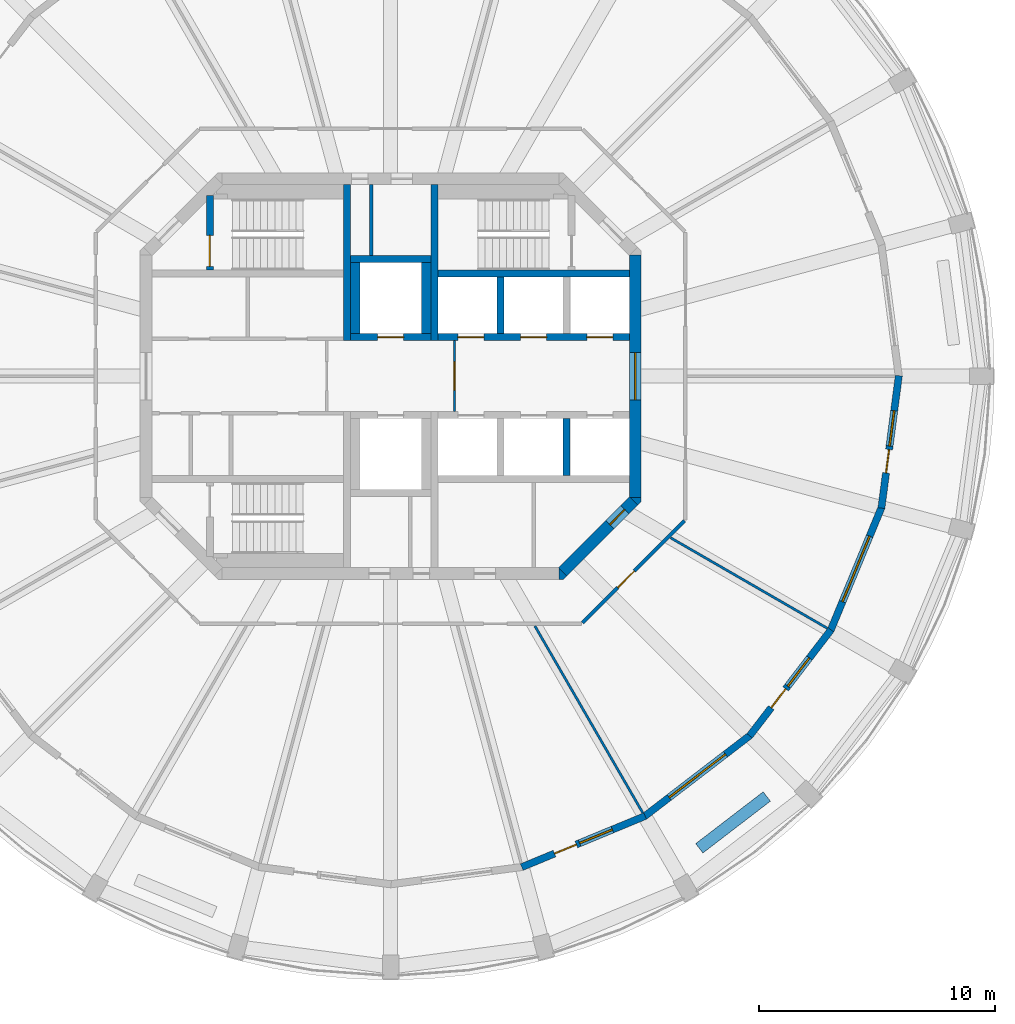
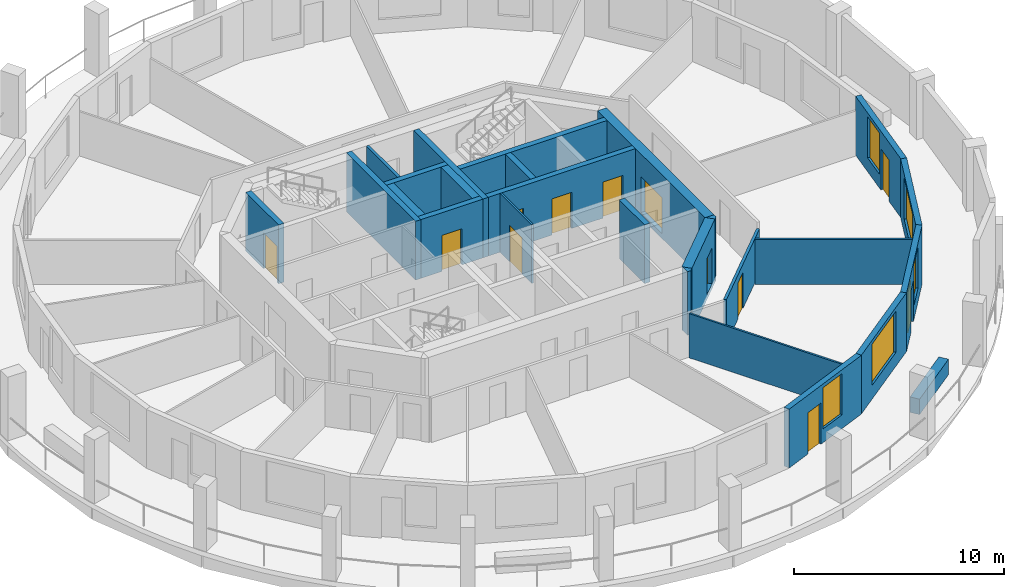
# One storey, part 4 of 8: 26 walls, 12 doors, 5 windows, 17 openings.
"""IFC4 building model written with IfcOpenShell, lengths in metres."""

import ifcopenshell
import ifcopenshell.guid

model = None  # the IFC model being written
_history = None  # IfcOwnerHistory: only IFC2X3 demands one
_inside = {}  # id of a spatial element -> (the spatial element, [elements in it])
_under = {}  # id of a project, library or spatial element -> (it, [spatial elements below it])
_declared = {}  # id of a project -> (the project, [libraries it declares])
_typed = {}  # id of a type object -> (the type object, [elements of that type])
_made_of = {}  # id of a material, layer set ... -> (it, [elements and type objects made of it])


def new_model(schema):
    """Start an empty IFC model of exactly this schema.

    Asked for "IFC4X3", IfcOpenShell would pick the latest addendum, in which some entities
    have other attributes; the version numbers below select the first issue.
    IFC2X3 requires an IfcOwnerHistory on every rooted entity: one is made here for all.
    """
    global model, _history
    if schema == "IFC4X3":
        model = ifcopenshell.file(schema_version=(4, 3, 0, 0))
    else:
        model = ifcopenshell.file(schema=schema)
    _inside.clear()
    _under.clear()
    _declared.clear()
    _typed.clear()
    _made_of.clear()
    _history = None
    if model.schema == "IFC2X3":
        org = make("IfcOrganization", Name="unknown")
        user = make(
            "IfcPersonAndOrganization",
            ThePerson=make("IfcPerson", FamilyName="unknown"),
            TheOrganization=org,
        )
        app = make(
            "IfcApplication",
            ApplicationDeveloper=org,
            Version="unknown",
            ApplicationFullName="unknown",
            ApplicationIdentifier="unknown",
        )
        _history = make(
            "IfcOwnerHistory",
            OwningUser=user,
            OwningApplication=app,
            ChangeAction="ADDED",
            CreationDate=0,
        )
    return model


def make(cls, **values):
    """One entity of the class cls with the attributes given. An attribute that is None is left unset."""
    return model.create_entity(
        cls, **{name: value for name, value in values.items() if value is not None}
    )


def rooted(cls, **values):
    """An entity with a GlobalId (a new one), such as an element, a storey or a relation."""
    return make(cls, GlobalId=ifcopenshell.guid.new(), OwnerHistory=_history, **values)


def si_unit(unit_type, name, prefix=None):
    """IfcSIUnit, for example si_unit("LENGTHUNIT", "METRE", prefix="MILLI")."""
    return make("IfcSIUnit", UnitType=unit_type, Prefix=prefix, Name=name)


def assignment(units):
    """IfcUnitAssignment: the units of a project."""
    return None if units is None else make("IfcUnitAssignment", Units=units)


def point(xyz):
    """IfcCartesianPoint."""
    return None if xyz is None else make("IfcCartesianPoint", Coordinates=xyz)


def direction(xyz):
    """IfcDirection."""
    return None if xyz is None else make("IfcDirection", DirectionRatios=xyz)


def frame(location, z_axis=None, x_axis=None):
    """IfcAxis2Placement3D, a coordinate frame: its origin and axes. An axis left out is left unset."""
    return make(
        "IfcAxis2Placement3D",
        Location=point(location),
        Axis=direction(z_axis),
        RefDirection=direction(x_axis),
    )


def frame_2d(location, x_axis=None):
    """IfcAxis2Placement2D, a coordinate frame in the plane: its origin and x axis."""
    return make(
        "IfcAxis2Placement2D", Location=point(location), RefDirection=direction(x_axis)
    )


def origin():
    """The frame at (0, 0, 0) with its axes left unset."""
    return frame((0.0, 0.0, 0.0))


def place(relative_to, where):
    """IfcLocalPlacement: puts the frame where relative to a parent placement (None: the world)."""
    return make(
        "IfcLocalPlacement", PlacementRelTo=relative_to, RelativePlacement=where
    )


def context(
    kind, dimensions, precision=None, world=None, true_north=None, identifier=None
):
    """IfcGeometricRepresentationContext, for example the 3D "Model" context."""
    return make(
        "IfcGeometricRepresentationContext",
        ContextIdentifier=identifier,
        ContextType=kind,
        CoordinateSpaceDimension=dimensions,
        Precision=precision,
        WorldCoordinateSystem=world,
        TrueNorth=true_north,
    )


def subcontext(parent, identifier, kind, view, scale=None):
    """IfcGeometricRepresentationSubContext, for example "Body" below "Model"."""
    return make(
        "IfcGeometricRepresentationSubContext",
        ContextIdentifier=identifier,
        ContextType=kind,
        ParentContext=parent,
        TargetScale=scale,
        TargetView=view,
    )


def project(units=None, contexts=None):
    """IfcProject with its units and contexts."""
    return rooted(
        "IfcProject",
        Name="project",
        RepresentationContexts=contexts,
        UnitsInContext=assignment(units),
    )


def spatial(cls, under=None, at=None, **own):
    """A site, building, storey or space (cls), placed at a placement, below another one or the project."""
    s = rooted(cls, ObjectPlacement=at, **own)
    if under is not None:
        _under.setdefault(under.id(), (under, []))[1].append(s)
    return s


def polyline(points):
    """IfcPolyline through the points."""
    return make("IfcPolyline", Points=[point(p) for p in points])


def profile(cls, at=None, kind="AREA", **sizes):
    """A parametric profile (cls). Its sizes go by their IFC names, for example OverallWidth=200.0."""
    return make(cls, ProfileType=kind, Position=at, **sizes)


def rectangle(**sizes):
    """IfcRectangleProfileDef."""
    return profile("IfcRectangleProfileDef", **sizes)


def outline(outer, holes=None, kind="AREA"):
    """IfcArbitraryClosedProfileDef: a profile drawn as a closed curve; with holes, ...WithVoids."""
    if holes is None:
        return make("IfcArbitraryClosedProfileDef", ProfileType=kind, OuterCurve=outer)
    return make(
        "IfcArbitraryProfileDefWithVoids",
        ProfileType=kind,
        OuterCurve=outer,
        InnerCurves=holes,
    )


def extrude(swept, where, along, depth):
    """IfcExtrudedAreaSolid: the profile swept, set in the frame where, extruded along a direction by depth."""
    return make(
        "IfcExtrudedAreaSolid",
        SweptArea=swept,
        Position=where,
        ExtrudedDirection=direction(along),
        Depth=depth,
    )


def shape(context_of_items, identifier, shape_type, items):
    """IfcShapeRepresentation: the items that make up one representation, for example the "Body"."""
    return make(
        "IfcShapeRepresentation",
        ContextOfItems=context_of_items,
        RepresentationIdentifier=identifier,
        RepresentationType=shape_type,
        Items=items,
    )


def material(Name=None, Category=None):
    """IfcMaterial."""
    return make("IfcMaterial", Name=Name, Category=Category)


def layer(
    of_material, thickness, ventilated=None, Name=None, Category=None, Priority=None
):
    """IfcMaterialLayer: one layer of a wall or slab, of a material (None: an air gap)."""
    return make(
        "IfcMaterialLayer",
        Material=of_material,
        LayerThickness=thickness,
        IsVentilated=ventilated,
        Name=Name,
        Category=Category,
        Priority=Priority,
    )


def layer_set(layers, Name=None):
    """IfcMaterialLayerSet."""
    return make("IfcMaterialLayerSet", MaterialLayers=layers, LayerSetName=Name)


def made_of(thing, what):
    """Note that an element or type object is made of a material, layer set ...; save() writes the relation."""
    if what is not None:
        _made_of.setdefault(what.id(), (what, []))[1].append(thing)
    return thing


def type_object(cls, material=None, **own):
    """A type object (cls), such as IfcWallType, which elements share."""
    return made_of(rooted(cls, **own), material)


def element(
    cls,
    number,
    at=None,
    inside=None,
    cuts=None,
    type_object=None,
    material=None,
    context=None,
    identifier="Body",
    shape_type=None,
    held_by="IfcProductDefinitionShape",
    body=None,
    shapes=None,
    **own,
):
    """One element of the class cls, such as IfcWall. Its Tag is "e" and its number.

    at: its placement. inside: the storey or other place that contains it. cuts: it is an
    opening in that element (IfcRelVoidsElement). A single representation is given by context,
    identifier, shape_type and body (its items); several are given by shapes. held_by: the class
    of the entity that holds the representations. save() writes the other relations.
    """
    e = rooted(cls, Tag="e%d" % number, ObjectPlacement=at, **own)
    if body is not None:
        shapes = [shape(context, identifier, shape_type, body)]
    if shapes is not None:
        e.Representation = make(held_by, Representations=shapes)
    if inside is not None:
        _inside.setdefault(inside.id(), (inside, []))[1].append(e)
    if cuts is not None:
        rooted(
            "IfcRelVoidsElement", RelatingBuildingElement=cuts, RelatedOpeningElement=e
        )
    if type_object is not None:
        _typed.setdefault(type_object.id(), (type_object, []))[1].append(e)
    return made_of(e, material)


def fill(opening, filler):
    """IfcRelFillsElement: the door or window that sits in an opening."""
    return rooted(
        "IfcRelFillsElement",
        RelatingOpeningElement=opening,
        RelatedBuildingElement=filler,
    )


def aggregate(whole, parts):
    """IfcRelAggregates: a whole, such as a stair, and the parts it consists of."""
    return rooted("IfcRelAggregates", RelatingObject=whole, RelatedObjects=parts)


def save(model, path):
    """Write the relations noted so far, then the file.

    IfcRelAggregates (storeys below a building ...), IfcRelContainedInSpatialStructure (elements
    in a storey), IfcRelDefinesByType, IfcRelAssociatesMaterial and IfcRelDeclares: one each for
    every whole, place, type object, material and project.
    """
    for whole, parts in _under.values():
        aggregate(whole, parts)
    for where, things in _inside.values():
        rooted(
            "IfcRelContainedInSpatialStructure",
            RelatedElements=things,
            RelatingStructure=where,
        )
    for kind, things in _typed.values():
        rooted("IfcRelDefinesByType", RelatedObjects=things, RelatingType=kind)
    for what, things in _made_of.values():
        rooted("IfcRelAssociatesMaterial", RelatedObjects=things, RelatingMaterial=what)
    for by, libraries in _declared.values():
        rooted("IfcRelDeclares", RelatingContext=by, RelatedDefinitions=libraries)
    model.write(path)


model = new_model("IFC4")

# Units and contexts
model_context = context("Model", 3, precision=1e-05, world=origin(), true_north=direction((0.0, 1.0)))
body_context = subcontext(model_context, "Body", "Model", "MODEL_VIEW")
ifc_project = project(units=[si_unit("LENGTHUNIT", "METRE"), si_unit("AREAUNIT", "SQUARE_METRE"), si_unit("VOLUMEUNIT", "CUBIC_METRE"), si_unit("PLANEANGLEUNIT", "RADIAN"), si_unit("MASSUNIT", "GRAM", prefix="KILO")], contexts=[model_context])

# Site, building, storey
site_placement = place(None, origin())
site = spatial("IfcSite", under=ifc_project, at=site_placement, CompositionType="ELEMENT")
building_placement = place(site_placement, origin())
building = spatial("IfcBuilding", under=site, at=building_placement, Name="Torre Triforio", CompositionType="ELEMENT")
storey_placement = place(building_placement, frame((0.0, 0.0, 287.10009765625)))
storey = spatial("IfcBuildingStorey", under=building, at=storey_placement, Name="L66", CompositionType="ELEMENT", Elevation=287.10009765625)

# Walls
ifc_material_1 = material(Name="Concrete C40", Category="concrete")
ifc_layer_1 = layer(ifc_material_1, 0.300048828125)
ifc_layer_set_1 = layer_set([ifc_layer_1], Name="Concrete C40")
wall_type_1 = type_object("IfcWallType", Name="Core wall 300 mm C40 EI 120", PredefinedType="SHEAR", material=ifc_layer_set_1)
for number, where, z_axis, x_axis, name in (
    (1, (-1.85009765625, 1.5, 0.0), (0.0, 0.0, 1.0), (0.0, 1.0, 0.0), "Core wall"),
    (2, (1.85009765625, 1.5, 0.0), (0.0, 0.0, 1.0), (0.0, 1.0, 0.0), "Core wall"),
):
    element("IfcWall", number, at=place(storey_placement, frame(where, z_axis=z_axis, x_axis=x_axis)), inside=storey, type_object=wall_type_1, Name=name, PredefinedType="SHEAR", context=body_context, shape_type="SweptSolid", body=[
        extrude(rectangle(XDim=6.60009765625, YDim=0.300048828125, at=frame_2d((3.300048828125, 0.0))), origin(), (0.0, 0.0, 1.0), 3.419921875),
    ])

# Wall, opening, door
ifc_layer_2 = layer(ifc_material_1, 0.5)
ifc_layer_set_2 = layer_set([ifc_layer_2], Name="Concrete C40")
wall_type_2 = type_object("IfcWallType", Name="Core wall 500 mm C40 EI 120", PredefinedType="SHEAR", material=ifc_layer_set_2)
wall_1_placement = place(storey_placement, frame((10.35009765625, -5.1298828125, -0.280029296875), z_axis=(0.0, 0.0, 1.0), x_axis=(0.0, 1.0, 0.0)))
wall_1 = element("IfcWall", 3, at=wall_1_placement, inside=storey, type_object=wall_type_2, Name="Core wall", PredefinedType="SHEAR", context=body_context, shape_type="SweptSolid", body=[
    extrude(rectangle(XDim=10.259765625, YDim=0.5, at=frame_2d((5.1298828125, 0.0))), origin(), (0.0, 0.0, 1.0), 3.699951171875),
])
opening_1_placement = place(wall_1_placement, frame((4.1298828125, 0.0, 0.280029296875)))
opening_1 = element("IfcOpeningElement", 4, at=opening_1_placement, cuts=wall_1, Name="Opening E-RING", PredefinedType="OPENING", context=body_context, shape_type="SweptSolid", body=[
    extrude(rectangle(XDim=2.0, YDim=2.10009765625, at=frame_2d((1.0, 1.050048828125))), frame((0.0, 0.260009765625, 0.0), z_axis=(0.0, -1.0, 0.0), x_axis=(1.0, 0.0, 0.0)), (0.0, 0.0, 1.0), 0.52001953125),
])
ifc_material_2 = material(Name="Hollow metal fire door leaf")
door_type_1 = type_object("IfcDoorType", Name="Lobby door 2000 x 2100 EI 60", OperationType="DOUBLE_DOOR_SINGLE_SWING", PredefinedType="DOOR", material=ifc_material_2)
door_1_placement = place(opening_1_placement, origin())
door_1 = element("IfcDoor", 5, at=door_1_placement, inside=storey, type_object=door_type_1, Name="Core door E-RING", OperationType="DOUBLE_DOOR_SINGLE_SWING", OverallHeight=2.10009765625, OverallWidth=2.0, PredefinedType="DOOR", context=body_context, shape_type="SweptSolid", body=[
    extrude(rectangle(XDim=2.0, YDim=2.10009765625, at=frame_2d((1.0, 1.050048828125))), frame((0.0, 0.02490234375, 0.0), z_axis=(0.0, -1.0, 0.0), x_axis=(1.0, 0.0, 0.0)), (0.0, 0.0, 1.0), 0.050048828125),
])
fill(opening_1, door_1)

wall_2_placement = place(storey_placement, frame((10.27685546875, -5.27685546875, -0.280029296875), z_axis=(0.0, 0.0, 1.0), x_axis=(-0.707106781187, -0.707106781187, 0.0)))
wall_2 = element("IfcWall", 6, at=wall_2_placement, inside=storey, type_object=wall_type_2, Name="Core wall", PredefinedType="SHEAR", context=body_context, shape_type="SweptSolid", body=[
    extrude(rectangle(XDim=4.24267578125, YDim=0.5, at=frame_2d((2.121337890625, 0.0))), origin(), (0.0, 0.0, 1.0), 3.699951171875),
])
opening_2_placement = place(wall_2_placement, frame((0.52001953125, 0.0, 0.280029296875)))
opening_2 = element("IfcOpeningElement", 7, at=opening_2_placement, cuts=wall_2, Name="Opening SE-02", PredefinedType="OPENING", context=body_context, shape_type="SweptSolid", body=[
    extrude(rectangle(XDim=0.89990234375, YDim=2.10009765625, at=frame_2d((0.449951171875, 1.050048828125))), frame((0.0, 0.260009765625, 0.0), z_axis=(0.0, -1.0, 0.0), x_axis=(1.0, 0.0, 0.0)), (0.0, 0.0, 1.0), 0.52001953125),
])
door_type_2 = type_object("IfcDoorType", Name="Room door 900 x 2100 EI 60", OperationType="NOTDEFINED", PredefinedType="DOOR", material=ifc_material_2)
door_2_placement = place(opening_2_placement, origin())
door_2 = element("IfcDoor", 8, at=door_2_placement, inside=storey, type_object=door_type_2, Name="Core door SE-02", OperationType="SINGLE_SWING_RIGHT", OverallHeight=2.10009765625, OverallWidth=0.89990234375, PredefinedType="DOOR", context=body_context, shape_type="SweptSolid", body=[
    extrude(rectangle(XDim=0.89990234375, YDim=2.10009765625, at=frame_2d((0.449951171875, 1.050048828125))), frame((0.0, 0.02490234375, 0.0), z_axis=(0.0, -1.0, 0.0), x_axis=(1.0, 0.0, 0.0)), (0.0, 0.0, 1.0), 0.050048828125),
])
fill(opening_2, door_2)

# Walls
wall_3_placement = place(storey_placement, frame((0.0, 0.0, -0.280029296875)))
element("IfcWall", 9, at=wall_3_placement, inside=storey, type_object=wall_type_2, Name="Core wall", PredefinedType="SHEAR", context=body_context, shape_type="SweptSolid", body=[
    extrude(outline(polyline([(7.30712890625, -8.60009765625), (7.1298828125, -8.60009765625), (7.1298828125, -8.1298828125), (7.45361328125, -8.45361328125), (7.30712890625, -8.60009765625)])), origin(), (0.0, 0.0, 1.0), 3.699951171875),
])
wall_4_placement = place(storey_placement, frame((0.0, 0.0, -0.280029296875)))
element("IfcWall", 10, at=wall_4_placement, inside=storey, type_object=wall_type_2, Name="Core wall", PredefinedType="SHEAR", context=body_context, shape_type="SweptSolid", body=[
    extrude(outline(polyline([(10.60009765625, -5.30712890625), (10.45361328125, -5.45361328125), (10.1298828125, -5.1298828125), (10.60009765625, -5.1298828125), (10.60009765625, -5.30712890625)])), origin(), (0.0, 0.0, 1.0), 3.699951171875),
])

# Wall, opening, door
ifc_material_3 = material(Name="Plasterboard on metal studs")
ifc_layer_3 = layer(ifc_material_3, 0.14990234375)
ifc_layer_set_3 = layer_set([ifc_layer_3], Name="Plasterboard on metal studs")
wall_type_3 = type_object("IfcWallType", Name="Corridor and tenancy wall 150 mm EI 60", PredefinedType="PARTITIONING", material=ifc_layer_set_3)
wall_5_placement = place(storey_placement, frame((12.43798828125, -6.120849609375, 0.0), z_axis=(0.0, 0.0, 1.0), x_axis=(-0.707106781187, -0.707106781187, 0.0)))
wall_5 = element("IfcWall", 11, at=wall_5_placement, inside=storey, type_object=wall_type_3, Name="Partition 1", PredefinedType="PARTITIONING", context=body_context, shape_type="SweptSolid", body=[
    extrude(rectangle(XDim=6.10546875, YDim=0.14990234375, at=frame_2d((3.052734375, 0.0))), origin(), (0.0, 0.0, 1.0), 2.56982421875),
])
opening_3_placement = place(wall_5_placement, frame((3.001953125, 0.0, 0.0)))
opening_3 = element("IfcOpeningElement", 12, at=opening_3_placement, cuts=wall_5, Name="Opening X1-01", PredefinedType="OPENING", context=body_context, shape_type="SweptSolid", body=[
    extrude(rectangle(XDim=1.0, YDim=2.10009765625, at=frame_2d((0.5, 1.050048828125))), frame((0.0, 0.0849609375, 0.0), z_axis=(0.0, -1.0, 0.0), x_axis=(1.0, 0.0, 0.0)), (0.0, 0.0, 1.0), 0.169921875),
])
ifc_material_4 = material(Name="Timber", Category="wood")
door_type_3 = type_object("IfcDoorType", Name="Door 1000 x 2100 single leaf EI 30", OperationType="NOTDEFINED", PredefinedType="DOOR", material=ifc_material_4)
door_3_placement = place(opening_3_placement, origin())
door_3 = element("IfcDoor", 13, at=door_3_placement, inside=storey, type_object=door_type_3, Name="Door X1-01", OperationType="SINGLE_SWING_LEFT", OverallHeight=2.10009765625, OverallWidth=1.0, PredefinedType="DOOR", context=body_context, shape_type="SweptSolid", body=[
    extrude(rectangle(XDim=1.0, YDim=2.10009765625, at=frame_2d((0.5, 1.050048828125))), frame((0.0, 0.02490234375, 0.0), z_axis=(0.0, -1.0, 0.0), x_axis=(1.0, 0.0, 0.0)), (0.0, 0.0, 1.0), 0.050048828125),
])
fill(opening_3, door_3)

ifc_material_5 = material(Name="Block and board partition")
ifc_layer_4 = layer(ifc_material_5, 0.10009765625)
ifc_layer_set_4 = layer_set([ifc_layer_4], Name="Block and board partition")
wall_type_4 = type_object("IfcWallType", Name="Partition 100 mm EI 120", PredefinedType="PARTITIONING", material=ifc_layer_set_4)
wall_6_placement = place(storey_placement, frame((2.699951171875, -1.5, 0.0), z_axis=(0.0, 0.0, 1.0), x_axis=(0.0, 1.0, 0.0)))
wall_6 = element("IfcWall", 14, at=wall_6_placement, inside=storey, type_object=wall_type_4, Name="Partition", PredefinedType="PARTITIONING", context=body_context, shape_type="SweptSolid", body=[
    extrude(rectangle(XDim=3.0, YDim=0.10009765625, at=frame_2d((1.5, 0.0))), origin(), (0.0, 0.0, 1.0), 3.419921875),
])
opening_4_placement = place(wall_6_placement, frame((0.89990234375, 0.0, 0.0)))
opening_4 = element("IfcOpeningElement", 15, at=opening_4_placement, cuts=wall_6, Name="Opening FF-E", PredefinedType="OPENING", context=body_context, shape_type="SweptSolid", body=[
    extrude(rectangle(XDim=1.199951171875, YDim=2.10009765625, at=frame_2d((0.60009765625, 1.050048828125))), frame((0.0, 0.06005859375, 0.0), z_axis=(0.0, -1.0, 0.0), x_axis=(1.0, 0.0, 0.0)), (0.0, 0.0, 1.0), 0.1201171875),
])
door_type_4 = type_object("IfcDoorType", Name="Fire-fighting lobby door 1200 x 2100 EI 60", OperationType="NOTDEFINED", PredefinedType="DOOR", material=ifc_material_2)
door_4_placement = place(opening_4_placement, origin())
door_4 = element("IfcDoor", 16, at=door_4_placement, inside=storey, type_object=door_type_4, Name="Core door FF-E", OperationType="SINGLE_SWING_RIGHT", OverallHeight=2.10009765625, OverallWidth=1.199951171875, PredefinedType="DOOR", context=body_context, shape_type="SweptSolid", body=[
    extrude(rectangle(XDim=1.199951171875, YDim=2.10009765625, at=frame_2d((0.60009765625, 1.050048828125))), frame((0.0, 0.02490234375, 0.0), z_axis=(0.0, -1.0, 0.0), x_axis=(1.0, 0.0, 0.0)), (0.0, 0.0, 1.0), 0.050048828125),
])
fill(opening_4, door_4)

# Walls
ifc_layer_5 = layer(ifc_material_3, 0.10009765625)
ifc_layer_set_5 = layer_set([ifc_layer_5], Name="Plasterboard on metal studs")
wall_type_5 = type_object("IfcWallType", Name="Partition 100 mm board on metal studs", PredefinedType="PARTITIONING", material=ifc_layer_set_5)
wall_7_placement = place(storey_placement, frame((6.105224609375, -10.57470703125, 0.0), z_axis=(0.0, 0.0, 1.0), x_axis=(0.500020406621, -0.866013621696, 0.0)))
element("IfcWall", 17, at=wall_7_placement, inside=storey, type_object=wall_type_5, Name="Partition 24", PredefinedType="PARTITIONING", context=body_context, shape_type="SweptSolid", body=[
    extrude(rectangle(XDim=9.1259765625, YDim=0.10009765625, at=frame_2d((4.56298828125, 0.0))), origin(), (0.0, 0.0, 1.0), 2.56982421875),
])
wall_8_placement = place(storey_placement, frame((11.845947265625, -6.839111328125, 0.0), z_axis=(0.0, 0.0, 1.0), x_axis=(0.866007734672, -0.500030602552, 0.0)))
element("IfcWall", 18, at=wall_8_placement, inside=storey, type_object=wall_type_5, Name="Partition 25", PredefinedType="PARTITIONING", context=body_context, shape_type="SweptSolid", body=[
    extrude(rectangle(XDim=7.658203125, YDim=0.10009765625, at=frame_2d((3.8291015625, 0.0))), origin(), (0.0, 0.0, 1.0), 2.619873046875),
])
ifc_layer_6 = layer(ifc_material_5, 0.14990234375)
ifc_layer_set_6 = layer_set([ifc_layer_6], Name="Block and board partition")
wall_type_6 = type_object("IfcWallType", Name="Partition 150 mm EI 120", PredefinedType="PARTITIONING", material=ifc_layer_set_6)
wall_9_placement = place(storey_placement, frame((-0.824951171875, 5.10009765625, 0.0), z_axis=(0.0, 0.0, 1.0), x_axis=(0.0, 1.0, 0.0)))
element("IfcWall", 19, at=wall_9_placement, inside=storey, type_object=wall_type_6, Name="Partition", PredefinedType="PARTITIONING", context=body_context, shape_type="SweptSolid", body=[
    extrude(rectangle(XDim=3.0, YDim=0.14990234375, at=frame_2d((1.5, 0.0))), origin(), (0.0, 0.0, 1.0), 3.419921875),
])
ifc_material_6 = material(Name="Limestone cladding", Category="masonry")
ifc_layer_7 = layer(ifc_material_6, 0.10009765625)
ifc_layer_8 = layer(ifc_material_1, 0.39990234375)
ifc_layer_set_7 = layer_set([ifc_layer_7, ifc_layer_8], Name="Limestone cladding / Concrete C40")
wall_type_7 = type_object("IfcWallType", Name="Planter wall 500", PredefinedType="PARAPET", material=ifc_layer_set_7)
wall_10_placement = place(storey_placement, frame((13.060546875, -19.9775390625, 0.0), z_axis=(0.0, 0.0, 1.0), x_axis=(0.793326845617, 0.608795955984, 0.0)))
element("IfcWall", 20, at=wall_10_placement, inside=storey, type_object=wall_type_7, Name="Planter L66 bay 21", PredefinedType="PARAPET", context=body_context, shape_type="SweptSolid", body=[
    extrude(rectangle(XDim=3.599853515625, YDim=0.5, at=frame_2d((1.7998046875, 0.0))), origin(), (0.0, 0.0, 1.0), 0.89990234375),
])
ifc_layer_9 = layer(ifc_material_1, 0.300048828125)
ifc_layer_set_8 = layer_set([ifc_layer_9], Name="Concrete C40")
wall_type_8 = type_object("IfcWallType", Name="Shaft wall 300 mm C40 EI 120", PredefinedType="SOLIDWALL", material=ifc_layer_set_8)
wall_11_placement = place(storey_placement, frame((2.0, 4.35009765625, 0.0), z_axis=(0.0, 0.0, 1.0), x_axis=(1.0, 0.0, 0.0)))
element("IfcWall", 21, at=wall_11_placement, inside=storey, type_object=wall_type_8, Name="Shaft wall", PredefinedType="SOLIDWALL", context=body_context, shape_type="SweptSolid", body=[
    extrude(rectangle(XDim=8.10009765625, YDim=0.300048828125, at=frame_2d((4.050048828125, 0.0))), origin(), (0.0, 0.0, 1.0), 3.419921875),
])

# Wall, openings, doors
wall_12_placement = place(storey_placement, frame((2.0, 1.64990234375, 0.0), z_axis=(0.0, 0.0, 1.0), x_axis=(1.0, 0.0, 0.0)))
wall_12 = element("IfcWall", 22, at=wall_12_placement, inside=storey, type_object=wall_type_8, Name="Shaft wall", PredefinedType="SOLIDWALL", context=body_context, shape_type="SweptSolid", body=[
    extrude(rectangle(XDim=8.10009765625, YDim=0.300048828125, at=frame_2d((4.050048828125, 0.0))), origin(), (0.0, 0.0, 1.0), 3.419921875),
])
opening_5_placement = place(wall_12_placement, frame((0.85009765625, 0.0, 0.0)))
opening_5 = element("IfcOpeningElement", 23, at=opening_5_placement, cuts=wall_12, Name="Opening LD", PredefinedType="OPENING", context=body_context, shape_type="SweptSolid", body=[
    extrude(rectangle(XDim=1.10009765625, YDim=2.10009765625, at=frame_2d((0.550048828125, 1.050048828125))), frame((0.0, 0.159912109375, 0.0), z_axis=(0.0, -1.0, 0.0), x_axis=(1.0, 0.0, 0.0)), (0.0, 0.0, 1.0), 0.320068359375),
])
opening_6_placement = place(wall_12_placement, frame((3.5, 0.0, 0.0)))
opening_6 = element("IfcOpeningElement", 24, at=opening_6_placement, cuts=wall_12, Name="Opening LD", PredefinedType="OPENING", context=body_context, shape_type="SweptSolid", body=[
    extrude(rectangle(XDim=1.10009765625, YDim=2.10009765625, at=frame_2d((0.550048828125, 1.050048828125))), frame((0.0, 0.159912109375, 0.0), z_axis=(0.0, -1.0, 0.0), x_axis=(1.0, 0.0, 0.0)), (0.0, 0.0, 1.0), 0.320068359375),
])
opening_7_placement = place(wall_12_placement, frame((6.300048828125, 0.0, 0.0)))
opening_7 = element("IfcOpeningElement", 25, at=opening_7_placement, cuts=wall_12, Name="Opening LD", PredefinedType="OPENING", context=body_context, shape_type="SweptSolid", body=[
    extrude(rectangle(XDim=1.10009765625, YDim=2.10009765625, at=frame_2d((0.550048828125, 1.050048828125))), frame((0.0, 0.159912109375, 0.0), z_axis=(0.0, -1.0, 0.0), x_axis=(1.0, 0.0, 0.0)), (0.0, 0.0, 1.0), 0.320068359375),
])
door_type_5 = type_object("IfcDoorType", Name="Landing door 1100 x 2100 EI 60", OperationType="DOUBLE_DOOR_SLIDING", PredefinedType="DOOR", material=ifc_material_2)
door_5_placement = place(opening_5_placement, origin())
door_5 = element("IfcDoor", 26, at=door_5_placement, inside=storey, type_object=door_type_5, Name="Landing door HR1", OperationType="DOUBLE_DOOR_SLIDING", OverallHeight=2.10009765625, OverallWidth=1.10009765625, PredefinedType="DOOR", context=body_context, shape_type="SweptSolid", body=[
    extrude(rectangle(XDim=1.10009765625, YDim=2.10009765625, at=frame_2d((0.550048828125, 1.050048828125))), frame((0.0, 0.02490234375, 0.0), z_axis=(0.0, -1.0, 0.0), x_axis=(1.0, 0.0, 0.0)), (0.0, 0.0, 1.0), 0.050048828125),
])
fill(opening_5, door_5)
door_6_placement = place(opening_6_placement, origin())
door_6 = element("IfcDoor", 27, at=door_6_placement, inside=storey, type_object=door_type_5, Name="Landing door HR2", OperationType="DOUBLE_DOOR_SLIDING", OverallHeight=2.10009765625, OverallWidth=1.10009765625, PredefinedType="DOOR", context=body_context, shape_type="SweptSolid", body=[
    extrude(rectangle(XDim=1.10009765625, YDim=2.10009765625, at=frame_2d((0.550048828125, 1.050048828125))), frame((0.0, 0.02490234375, 0.0), z_axis=(0.0, -1.0, 0.0), x_axis=(1.0, 0.0, 0.0)), (0.0, 0.0, 1.0), 0.050048828125),
])
fill(opening_6, door_6)
door_7_placement = place(opening_7_placement, origin())
door_7 = element("IfcDoor", 28, at=door_7_placement, inside=storey, type_object=door_type_5, Name="Landing door HR3", OperationType="DOUBLE_DOOR_SLIDING", OverallHeight=2.10009765625, OverallWidth=1.10009765625, PredefinedType="DOOR", context=body_context, shape_type="SweptSolid", body=[
    extrude(rectangle(XDim=1.10009765625, YDim=2.10009765625, at=frame_2d((0.550048828125, 1.050048828125))), frame((0.0, 0.02490234375, 0.0), z_axis=(0.0, -1.0, 0.0), x_axis=(1.0, 0.0, 0.0)), (0.0, 0.0, 1.0), 0.050048828125),
])
fill(opening_7, door_7)

# Walls
for number, where, z_axis, x_axis, name in (
    (29, (4.64990234375, 1.800048828125, 0.0), (0.0, 0.0, 1.0), (0.0, 1.0, 0.0), "Shaft wall"),
    (30, (7.449951171875, -4.199951171875, 0.0), (0.0, 0.0, 1.0), (0.0, 1.0, 0.0), "Shaft wall"),
):
    element("IfcWall", number, at=place(storey_placement, frame(where, z_axis=z_axis, x_axis=x_axis)), inside=storey, type_object=wall_type_8, Name=name, PredefinedType="SOLIDWALL", context=body_context, shape_type="SweptSolid", body=[
        extrude(rectangle(XDim=2.39990234375, YDim=0.300048828125, at=frame_2d((1.199951171875, 0.0))), origin(), (0.0, 0.0, 1.0), 3.419921875),
    ])

# Wall, opening, door
wall_13_placement = place(storey_placement, frame((-1.699951171875, 1.64990234375, 0.0), z_axis=(0.0, 0.0, 1.0), x_axis=(1.0, 0.0, 0.0)))
wall_13 = element("IfcWall", 31, at=wall_13_placement, inside=storey, type_object=wall_type_8, Name="Shaft wall", PredefinedType="SOLIDWALL", context=body_context, shape_type="SweptSolid", body=[
    extrude(rectangle(XDim=3.39990234375, YDim=0.300048828125, at=frame_2d((1.699951171875, 0.0))), origin(), (0.0, 0.0, 1.0), 3.419921875),
])
opening_8_placement = place(wall_13_placement, frame((1.14990234375, 0.0, 0.0)))
opening_8 = element("IfcOpeningElement", 32, at=opening_8_placement, cuts=wall_13, Name="Opening LD", PredefinedType="OPENING", context=body_context, shape_type="SweptSolid", body=[
    extrude(rectangle(XDim=1.10009765625, YDim=2.10009765625, at=frame_2d((0.550048828125, 1.050048828125))), frame((0.0, 0.159912109375, 0.0), z_axis=(0.0, -1.0, 0.0), x_axis=(1.0, 0.0, 0.0)), (0.0, 0.0, 1.0), 0.320068359375),
])
door_8_placement = place(opening_8_placement, origin())
door_8 = element("IfcDoor", 33, at=door_8_placement, inside=storey, type_object=door_type_5, Name="Landing door FFL1", OperationType="DOUBLE_DOOR_SLIDING", OverallHeight=2.10009765625, OverallWidth=1.10009765625, PredefinedType="DOOR", context=body_context, shape_type="SweptSolid", body=[
    extrude(rectangle(XDim=1.10009765625, YDim=2.10009765625, at=frame_2d((0.550048828125, 1.050048828125))), frame((0.0, 0.02490234375, 0.0), z_axis=(0.0, -1.0, 0.0), x_axis=(1.0, 0.0, 0.0)), (0.0, 0.0, 1.0), 0.050048828125),
])
fill(opening_8, door_8)

# Walls
wall_14_placement = place(storey_placement, frame((-1.699951171875, 4.949951171875, 0.0), z_axis=(0.0, 0.0, 1.0), x_axis=(1.0, 0.0, 0.0)))
element("IfcWall", 34, at=wall_14_placement, inside=storey, type_object=wall_type_8, Name="Shaft wall", PredefinedType="SOLIDWALL", context=body_context, shape_type="SweptSolid", body=[
    extrude(rectangle(XDim=3.39990234375, YDim=0.300048828125, at=frame_2d((1.699951171875, 0.0))), origin(), (0.0, 0.0, 1.0), 3.419921875),
])
ifc_layer_10 = layer(ifc_material_1, 0.39990234375)
ifc_layer_set_9 = layer_set([ifc_layer_10], Name="Concrete C40")
wall_type_9 = type_object("IfcWallType", Name="Shaft wall 400 mm C40 EI 120", PredefinedType="SOLIDWALL", material=ifc_layer_set_9)
for number, where, z_axis, x_axis, name in (
    (35, (-1.5, 1.800048828125, 0.0), (0.0, 0.0, 1.0), (0.0, 1.0, 0.0), "Shaft wall"),
    (36, (1.5, 1.800048828125, 0.0), (0.0, 0.0, 1.0), (0.0, 1.0, 0.0), "Shaft wall"),
):
    element("IfcWall", number, at=place(storey_placement, frame(where, z_axis=z_axis, x_axis=x_axis)), inside=storey, type_object=wall_type_9, Name=name, PredefinedType="SOLIDWALL", context=body_context, shape_type="SweptSolid", body=[
        extrude(rectangle(XDim=3.0, YDim=0.39990234375, at=frame_2d((1.5, 0.0))), origin(), (0.0, 0.0, 1.0), 3.419921875),
    ])

# Wall, opening, door
ifc_layer_11 = layer(ifc_material_1, 0.300048828125)
ifc_layer_set_10 = layer_set([ifc_layer_11], Name="Concrete C40")
wall_type_10 = type_object("IfcWallType", Name="Stair wall 300 mm C40 EI 120", PredefinedType="SHEAR", material=ifc_layer_set_10)
wall_15_placement = place(storey_placement, frame((-7.64990234375, 4.5, 0.0), z_axis=(0.0, 0.0, 1.0), x_axis=(0.0, 1.0, 0.0)))
wall_15 = element("IfcWall", 37, at=wall_15_placement, inside=storey, type_object=wall_type_10, Name="Stair wall", PredefinedType="SHEAR", context=body_context, shape_type="SweptSolid", body=[
    extrude(rectangle(XDim=3.139892578125, YDim=0.300048828125, at=frame_2d((1.56982421875, 0.0))), origin(), (0.0, 0.0, 1.0), 3.419921875),
])
opening_9_placement = place(wall_15_placement, frame((0.139892578125, 0.0, 0.0)))
opening_9 = element("IfcOpeningElement", 38, at=opening_9_placement, cuts=wall_15, Name="Opening ST1-STA", PredefinedType="OPENING", context=body_context, shape_type="SweptSolid", body=[
    extrude(rectangle(XDim=1.320068359375, YDim=2.10009765625, at=frame_2d((0.66015625, 1.050048828125))), frame((0.0, 0.159912109375, 0.0), z_axis=(0.0, -1.0, 0.0), x_axis=(1.0, 0.0, 0.0)), (0.0, 0.0, 1.0), 0.320068359375),
])
door_type_6 = type_object("IfcDoorType", Name="Stair door 1320 x 2100 EI 90", OperationType="DOUBLE_DOOR_SINGLE_SWING", PredefinedType="DOOR", material=ifc_material_2)
door_9_placement = place(opening_9_placement, origin())
door_9 = element("IfcDoor", 39, at=door_9_placement, inside=storey, type_object=door_type_6, Name="Core door ST1-ST", OperationType="DOUBLE_DOOR_SINGLE_SWING", OverallHeight=2.10009765625, OverallWidth=1.320068359375, PredefinedType="DOOR", context=body_context, shape_type="SweptSolid", body=[
    extrude(rectangle(XDim=1.320068359375, YDim=2.10009765625, at=frame_2d((0.66015625, 1.050048828125))), frame((0.0, 0.02490234375, 0.0), z_axis=(0.0, -1.0, 0.0), x_axis=(1.0, 0.0, 0.0)), (0.0, 0.0, 1.0), 0.050048828125),
])
fill(opening_9, door_9)

# Wall, openings, door, window
ifc_layer_12 = layer(ifc_material_6, 0.10009765625)
ifc_layer_13 = layer(ifc_material_1, 0.199951171875)
ifc_layer_set_11 = layer_set([ifc_layer_12, ifc_layer_13], Name="Limestone cladding / Concrete C40")
wall_type_11 = type_object("IfcWallType", Name="Stone-faced composite wall 300", PredefinedType="STANDARD", material=ifc_layer_set_11)
wall_16_placement = place(storey_placement, frame((5.54638671875, -20.77490234375, 0.0), z_axis=(0.0, 0.0, 1.0), x_axis=(0.923888907244, 0.382660798975, 0.0)))
wall_16 = element("IfcWall", 40, at=wall_16_placement, inside=storey, type_object=wall_type_11, Name="External wall L66 bay 20", PredefinedType="STANDARD", context=body_context, shape_type="SweptSolid", body=[
    extrude(rectangle(XDim=5.652099609375, YDim=0.300048828125, at=frame_2d((2.826171875, 0.0))), origin(), (0.0, 0.0, 1.0), 3.419921875),
])
opening_10_placement = place(wall_16_placement, frame((1.501220703125, 0.0, 0.0)))
opening_10 = element("IfcOpeningElement", 41, at=opening_10_placement, cuts=wall_16, Name="Opening X1-D20", PredefinedType="OPENING", context=body_context, shape_type="SweptSolid", body=[
    extrude(rectangle(XDim=1.0, YDim=2.39990234375, at=frame_2d((0.5, 1.199951171875))), frame((0.0, 0.159912109375, 0.0), z_axis=(0.0, -1.0, 0.0), x_axis=(1.0, 0.0, 0.0)), (0.0, 0.0, 1.0), 0.320068359375),
])
opening_11_placement = place(wall_16_placement, frame((2.651123046875, 0.0, 0.800048828125)))
opening_11 = element("IfcOpeningElement", 42, at=opening_11_placement, cuts=wall_16, Name="Opening X1-W20A", PredefinedType="OPENING", context=body_context, shape_type="SweptSolid", body=[
    extrude(rectangle(XDim=1.5, YDim=2.39990234375, at=frame_2d((0.75, 1.199951171875))), frame((0.0, 0.159912109375, 0.0), z_axis=(0.0, -1.0, 0.0), x_axis=(1.0, 0.0, 0.0)), (0.0, 0.0, 1.0), 0.320068359375),
])
ifc_material_7 = material(Name="Aluminium frame with clear double glazing", Category="aluminium")
door_type_7 = type_object("IfcDoorType", Name="Loggia door 1000 x 2400", OperationType="NOTDEFINED", PredefinedType="DOOR", material=ifc_material_7)
door_10_placement = place(opening_10_placement, origin())
door_10 = element("IfcDoor", 43, at=door_10_placement, inside=storey, type_object=door_type_7, Name="Loggia door L66 bay 20", OperationType="SINGLE_SWING_LEFT", OverallHeight=2.39990234375, OverallWidth=1.0, PredefinedType="DOOR", context=body_context, shape_type="SweptSolid", body=[
    extrude(rectangle(XDim=1.0, YDim=2.39990234375, at=frame_2d((0.5, 1.199951171875))), frame((0.0, 0.02490234375, 0.0), z_axis=(0.0, -1.0, 0.0), x_axis=(1.0, 0.0, 0.0)), (0.0, 0.0, 1.0), 0.050048828125),
])
fill(opening_10, door_10)
window_type_1 = type_object("IfcWindowType", Name="Side window 1500 x 2400", PartitioningType="SINGLE_PANEL", PredefinedType="WINDOW", material=ifc_material_7)
window_1_placement = place(opening_11_placement, origin())
window_1 = element("IfcWindow", 44, at=window_1_placement, inside=storey, type_object=window_type_1, Name="Side window EWN14 L66 bay 20", OverallHeight=2.39990234375, OverallWidth=1.5, PartitioningType="SINGLE_PANEL", PredefinedType="WINDOW", context=body_context, shape_type="SweptSolid", body=[
    extrude(rectangle(XDim=1.5, YDim=2.39990234375, at=frame_2d((0.75, 1.199951171875))), frame((0.0, 0.030029296875, 0.0), z_axis=(0.0, -1.0, 0.0), x_axis=(1.0, 0.0, 0.0)), (0.0, 0.0, 1.0), 0.06005859375),
])
fill(opening_11, window_1)

# Wall, opening, window
wall_17_placement = place(storey_placement, frame((10.734375, -18.631591796875, 0.0), z_axis=(0.0, 0.0, 1.0), x_axis=(0.793363662257, 0.608747976925, 0.0)))
wall_17 = element("IfcWall", 45, at=wall_17_placement, inside=storey, type_object=wall_type_11, Name="External wall L66 bay 21", PredefinedType="STANDARD", context=body_context, shape_type="SweptSolid", body=[
    extrude(rectangle(XDim=5.652099609375, YDim=0.300048828125, at=frame_2d((2.826171875, 0.0))), origin(), (0.0, 0.0, 1.0), 3.419921875),
])
opening_12_placement = place(wall_17_placement, frame((1.326171875, 0.0, 0.800048828125)))
opening_12 = element("IfcOpeningElement", 46, at=opening_12_placement, cuts=wall_17, Name="Opening X1-W21", PredefinedType="OPENING", context=body_context, shape_type="SweptSolid", body=[
    extrude(rectangle(XDim=3.0, YDim=2.39990234375, at=frame_2d((1.5, 1.199951171875))), frame((0.0, 0.159912109375, 0.0), z_axis=(0.0, -1.0, 0.0), x_axis=(1.0, 0.0, 0.0)), (0.0, 0.0, 1.0), 0.320068359375),
])
window_type_2 = type_object("IfcWindowType", Name="Punched window 3000 x 2400", PartitioningType="DOUBLE_PANEL_VERTICAL", PredefinedType="WINDOW", material=ifc_material_7)
window_2_placement = place(opening_12_placement, origin())
window_2 = element("IfcWindow", 47, at=window_2_placement, inside=storey, type_object=window_type_2, Name="Window EWN6 L66 bay 21", OverallHeight=2.39990234375, OverallWidth=3.0, PartitioningType="SINGLE_PANEL", PredefinedType="WINDOW", context=body_context, shape_type="SweptSolid", body=[
    extrude(rectangle(XDim=3.0, YDim=2.39990234375, at=frame_2d((1.5, 1.199951171875))), frame((0.0, 0.030029296875, 0.0), z_axis=(0.0, -1.0, 0.0), x_axis=(1.0, 0.0, 0.0)), (0.0, 0.0, 1.0), 0.06005859375),
])
fill(opening_12, window_2)

# Wall, openings, door, window
wall_18_placement = place(storey_placement, frame((15.19091796875, -15.218505859375, 0.0), z_axis=(0.0, 0.0, 1.0), x_axis=(0.608747976925, 0.793363662257, 0.0)))
wall_18 = element("IfcWall", 48, at=wall_18_placement, inside=storey, type_object=wall_type_11, Name="External wall L66 bay 22", PredefinedType="STANDARD", context=body_context, shape_type="SweptSolid", body=[
    extrude(rectangle(XDim=5.652099609375, YDim=0.300048828125, at=frame_2d((2.826171875, 0.0))), origin(), (0.0, 0.0, 1.0), 3.419921875),
])
opening_13_placement = place(wall_18_placement, frame((1.501220703125, 0.0, 0.0)))
opening_13 = element("IfcOpeningElement", 49, at=opening_13_placement, cuts=wall_18, Name="Opening X1-D22", PredefinedType="OPENING", context=body_context, shape_type="SweptSolid", body=[
    extrude(rectangle(XDim=1.0, YDim=2.39990234375, at=frame_2d((0.5, 1.199951171875))), frame((0.0, 0.159912109375, 0.0), z_axis=(0.0, -1.0, 0.0), x_axis=(1.0, 0.0, 0.0)), (0.0, 0.0, 1.0), 0.320068359375),
])
opening_14_placement = place(wall_18_placement, frame((2.651123046875, 0.0, 0.800048828125)))
opening_14 = element("IfcOpeningElement", 50, at=opening_14_placement, cuts=wall_18, Name="Opening X1-W22A", PredefinedType="OPENING", context=body_context, shape_type="SweptSolid", body=[
    extrude(rectangle(XDim=1.5, YDim=2.39990234375, at=frame_2d((0.75, 1.199951171875))), frame((0.0, 0.159912109375, 0.0), z_axis=(0.0, -1.0, 0.0), x_axis=(1.0, 0.0, 0.0)), (0.0, 0.0, 1.0), 0.320068359375),
])
door_11_placement = place(opening_13_placement, origin())
door_11 = element("IfcDoor", 51, at=door_11_placement, inside=storey, type_object=door_type_7, Name="Loggia door L66 bay 22", OperationType="SINGLE_SWING_LEFT", OverallHeight=2.39990234375, OverallWidth=1.0, PredefinedType="DOOR", context=body_context, shape_type="SweptSolid", body=[
    extrude(rectangle(XDim=1.0, YDim=2.39990234375, at=frame_2d((0.5, 1.199951171875))), frame((0.0, 0.02490234375, 0.0), z_axis=(0.0, -1.0, 0.0), x_axis=(1.0, 0.0, 0.0)), (0.0, 0.0, 1.0), 0.050048828125),
])
fill(opening_13, door_11)
window_3_placement = place(opening_14_placement, origin())
window_3 = element("IfcWindow", 52, at=window_3_placement, inside=storey, type_object=window_type_1, Name="Side window EWN14 L66 bay 22", OverallHeight=2.39990234375, OverallWidth=1.5, PartitioningType="SINGLE_PANEL", PredefinedType="WINDOW", context=body_context, shape_type="SweptSolid", body=[
    extrude(rectangle(XDim=1.5, YDim=2.39990234375, at=frame_2d((0.75, 1.199951171875))), frame((0.0, 0.030029296875, 0.0), z_axis=(0.0, -1.0, 0.0), x_axis=(1.0, 0.0, 0.0)), (0.0, 0.0, 1.0), 0.06005859375),
])
fill(opening_14, window_3)

# Wall, opening, window
wall_19_placement = place(storey_placement, frame((18.612060546875, -10.768310546875, 0.0), z_axis=(0.0, 0.0, 1.0), x_axis=(0.382660798975, 0.923888907244, 0.0)))
wall_19 = element("IfcWall", 53, at=wall_19_placement, inside=storey, type_object=wall_type_11, Name="External wall L66 bay 23", PredefinedType="STANDARD", context=body_context, shape_type="SweptSolid", body=[
    extrude(rectangle(XDim=5.652099609375, YDim=0.300048828125, at=frame_2d((2.826171875, 0.0))), origin(), (0.0, 0.0, 1.0), 3.419921875),
])
opening_15_placement = place(wall_19_placement, frame((1.326171875, 0.0, 0.800048828125)))
opening_15 = element("IfcOpeningElement", 54, at=opening_15_placement, cuts=wall_19, Name="Opening X1-W23", PredefinedType="OPENING", context=body_context, shape_type="SweptSolid", body=[
    extrude(rectangle(XDim=3.0, YDim=2.39990234375, at=frame_2d((1.5, 1.199951171875))), frame((0.0, 0.159912109375, 0.0), z_axis=(0.0, -1.0, 0.0), x_axis=(1.0, 0.0, 0.0)), (0.0, 0.0, 1.0), 0.320068359375),
])
window_4_placement = place(opening_15_placement, origin())
window_4 = element("IfcWindow", 55, at=window_4_placement, inside=storey, type_object=window_type_2, Name="Window EWN6 L66 bay 23", OverallHeight=2.39990234375, OverallWidth=3.0, PartitioningType="SINGLE_PANEL", PredefinedType="WINDOW", context=body_context, shape_type="SweptSolid", body=[
    extrude(rectangle(XDim=3.0, YDim=2.39990234375, at=frame_2d((1.5, 1.199951171875))), frame((0.0, 0.030029296875, 0.0), z_axis=(0.0, -1.0, 0.0), x_axis=(1.0, 0.0, 0.0)), (0.0, 0.0, 1.0), 0.06005859375),
])
fill(opening_15, window_4)

# Wall, openings, door, window
wall_20_placement = place(storey_placement, frame((20.764892578125, -5.584228515625, 0.0), z_axis=(0.0, 0.0, 1.0), x_axis=(0.130533844229, 0.991443853938, 0.0)))
wall_20 = element("IfcWall", 56, at=wall_20_placement, inside=storey, type_object=wall_type_11, Name="External wall L66 bay 24", PredefinedType="STANDARD", context=body_context, shape_type="SweptSolid", body=[
    extrude(rectangle(XDim=5.652099609375, YDim=0.300048828125, at=frame_2d((2.826171875, 0.0))), origin(), (0.0, 0.0, 1.0), 3.419921875),
])
opening_16_placement = place(wall_20_placement, frame((1.501220703125, 0.0, 0.0)))
opening_16 = element("IfcOpeningElement", 57, at=opening_16_placement, cuts=wall_20, Name="Opening X1-D24", PredefinedType="OPENING", context=body_context, shape_type="SweptSolid", body=[
    extrude(rectangle(XDim=1.0, YDim=2.39990234375, at=frame_2d((0.5, 1.199951171875))), frame((0.0, 0.159912109375, 0.0), z_axis=(0.0, -1.0, 0.0), x_axis=(1.0, 0.0, 0.0)), (0.0, 0.0, 1.0), 0.320068359375),
])
opening_17_placement = place(wall_20_placement, frame((2.651123046875, 0.0, 0.800048828125)))
opening_17 = element("IfcOpeningElement", 58, at=opening_17_placement, cuts=wall_20, Name="Opening X1-W24A", PredefinedType="OPENING", context=body_context, shape_type="SweptSolid", body=[
    extrude(rectangle(XDim=1.5, YDim=2.39990234375, at=frame_2d((0.75, 1.199951171875))), frame((0.0, 0.159912109375, 0.0), z_axis=(0.0, -1.0, 0.0), x_axis=(1.0, 0.0, 0.0)), (0.0, 0.0, 1.0), 0.320068359375),
])
door_12_placement = place(opening_16_placement, origin())
door_12 = element("IfcDoor", 59, at=door_12_placement, inside=storey, type_object=door_type_7, Name="Loggia door L66 bay 24", OperationType="SINGLE_SWING_LEFT", OverallHeight=2.39990234375, OverallWidth=1.0, PredefinedType="DOOR", context=body_context, shape_type="SweptSolid", body=[
    extrude(rectangle(XDim=1.0, YDim=2.39990234375, at=frame_2d((0.5, 1.199951171875))), frame((0.0, 0.02490234375, 0.0), z_axis=(0.0, -1.0, 0.0), x_axis=(1.0, 0.0, 0.0)), (0.0, 0.0, 1.0), 0.050048828125),
])
fill(opening_16, door_12)
window_5_placement = place(opening_17_placement, origin())
window_5 = element("IfcWindow", 60, at=window_5_placement, inside=storey, type_object=window_type_1, Name="Side window EWN14 L66 bay 24", OverallHeight=2.39990234375, OverallWidth=1.5, PartitioningType="SINGLE_PANEL", PredefinedType="WINDOW", context=body_context, shape_type="SweptSolid", body=[
    extrude(rectangle(XDim=1.5, YDim=2.39990234375, at=frame_2d((0.75, 1.199951171875))), frame((0.0, 0.030029296875, 0.0), z_axis=(0.0, -1.0, 0.0), x_axis=(1.0, 0.0, 0.0)), (0.0, 0.0, 1.0), 0.06005859375),
])
fill(opening_17, window_5)

save(model, "model.ifc")
